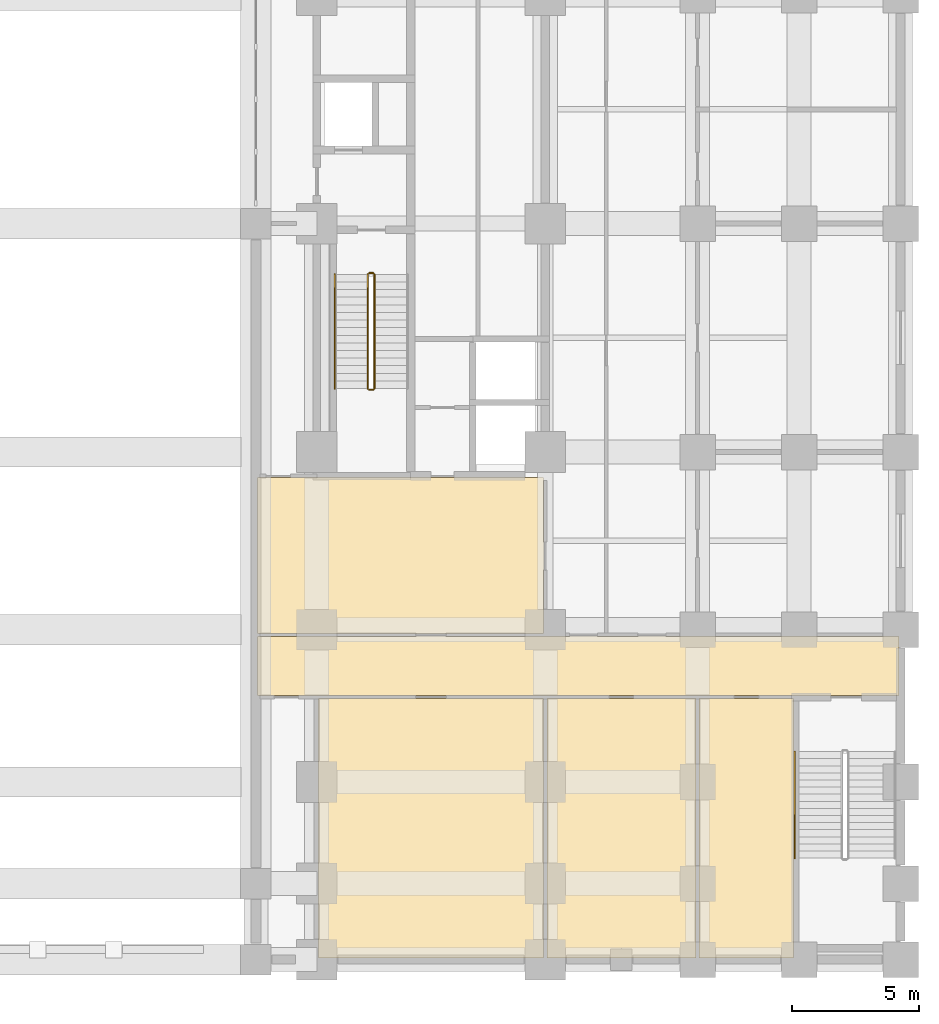
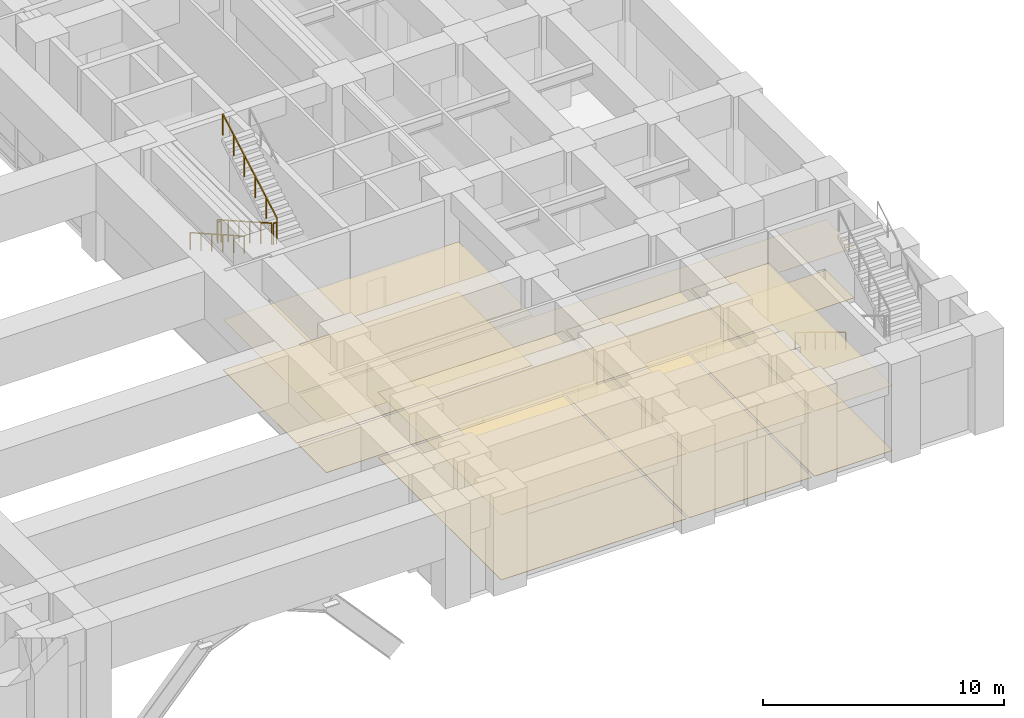
# One storey, part 21 of 24: 10 coverings, 6 railings.
"""IFC4 building model written with IfcOpenShell, lengths in metres."""

from ifc_helpers import new_model, si_unit, direction, frame, origin, origin_2d, place, context, subcontext, project, spatial, polyline, rectangle, outline, extrude, material, layer, layer_set, type_object, element, save


model = new_model("IFC4")

# Units and contexts
model_context = context("Model", 3, precision=1e-05, world=origin(), true_north=direction((0.0, 1.0)))
body_context = subcontext(model_context, "Body", "Model", "MODEL_VIEW")
ifc_project = project(units=[si_unit("LENGTHUNIT", "METRE"), si_unit("AREAUNIT", "SQUARE_METRE"), si_unit("VOLUMEUNIT", "CUBIC_METRE"), si_unit("PLANEANGLEUNIT", "RADIAN"), si_unit("MASSUNIT", "GRAM", prefix="KILO")], contexts=[model_context])

# Site, building, storey
site_placement = place(None, origin())
site = spatial("IfcSite", under=ifc_project, at=site_placement, CompositionType="ELEMENT")
building_placement = place(site_placement, origin())
building = spatial("IfcBuilding", under=site, at=building_placement, Name="Zulmaris Gate Convention Tower", CompositionType="ELEMENT")
storey_placement = place(building_placement, frame((0.0, 0.0, 16.320068359375)))
storey = spatial("IfcBuildingStorey", under=building, at=storey_placement, Name="L03", CompositionType="ELEMENT", Elevation=16.320068359375)

# Coverings
ifc_material_1 = material(Name="Mineral Fibre Acoustic Ceiling Tile")
ifc_layer_1 = layer(ifc_material_1, 0.02001953125, Name="Mineral Fibre Acoustic Ceiling Tile")
ifc_layer_set_1 = layer_set([ifc_layer_1], Name="Mineral Fibre Acoustic Ceiling Tile")
covering_type_1 = type_object("IfcCoveringType", Name="CLG-ACOUSTIC-600", PredefinedType="CEILING", material=ifc_layer_set_1)
covering_1_placement = place(storey_placement, frame((0.0, 0.0, 2.550048828125)))
element("IfcCovering", 1, at=covering_1_placement, inside=storey, type_object=covering_type_1, Name="CLG-L03-R50", PredefinedType="CEILING", context=body_context, shape_type="SweptSolid", body=[
    extrude(outline(polyline([(8.659912109375, -18.590087890625), (33.93994140625, -18.590087890625), (33.93994140625, -16.260009765625), (8.659912109375, -16.260009765625), (8.659912109375, -18.590087890625)])), origin(), (0.0, 0.0, 1.0), 0.019775390625),
])
covering_2_placement = place(storey_placement, frame((0.0, 0.0, 2.550048828125)))
element("IfcCovering", 2, at=covering_2_placement, inside=storey, type_object=covering_type_1, Name="CLG-L03-R52", PredefinedType="CEILING", context=body_context, shape_type="SweptSolid", body=[
    extrude(outline(polyline([(8.659912109375, -16.139892578125), (19.93994140625, -16.139892578125), (19.93994140625, -10.010009765625), (8.659912109375, -10.010009765625), (8.659912109375, -16.139892578125)])), origin(), (0.0, 0.0, 1.0), 0.019775390625),
])
covering_3_placement = place(storey_placement, frame((0.0, 0.0, 3.300048828125)))
element("IfcCovering", 3, at=covering_3_placement, inside=storey, type_object=covering_type_1, Name="CLG-L03-R87", PredefinedType="CEILING", context=body_context, shape_type="SweptSolid", body=[
    extrude(outline(polyline([(11.06005859375, -28.93994140625), (19.93994140625, -28.93994140625), (19.93994140625, -18.7099609375), (11.06005859375, -18.7099609375), (11.06005859375, -28.93994140625)])), origin(), (0.0, 0.0, 1.0), 0.019775390625),
])
covering_4_placement = place(storey_placement, frame((0.0, 0.0, 3.300048828125)))
element("IfcCovering", 4, at=covering_4_placement, inside=storey, type_object=covering_type_1, Name="CLG-L03-R88", PredefinedType="CEILING", context=body_context, shape_type="SweptSolid", body=[
    extrude(outline(polyline([(20.06005859375, -28.93994140625), (25.93994140625, -28.93994140625), (25.93994140625, -18.7099609375), (20.06005859375, -18.7099609375), (20.06005859375, -28.93994140625)])), origin(), (0.0, 0.0, 1.0), 0.019775390625),
])
covering_5_placement = place(storey_placement, frame((0.0, 0.0, 3.300048828125)))
element("IfcCovering", 5, at=covering_5_placement, inside=storey, type_object=covering_type_1, Name="CLG-L03-R89", PredefinedType="CEILING", context=body_context, shape_type="SweptSolid", body=[
    extrude(outline(polyline([(26.06005859375, -28.93994140625), (29.7900390625, -28.93994140625), (29.7900390625, -18.7099609375), (26.06005859375, -18.7099609375), (26.06005859375, -28.93994140625)])), origin(), (0.0, 0.0, 1.0), 0.019775390625),
])
ifc_material_2 = material(Name="Woven Acoustic Wool Carpet Tile")
ifc_layer_2 = layer(ifc_material_2, 0.02001953125, Name="Woven Acoustic Wool Carpet Tile")
ifc_layer_set_2 = layer_set([ifc_layer_2], Name="Woven Acoustic Wool Carpet Tile")
covering_type_2 = type_object("IfcCoveringType", Name="FLR-CARPET-12", PredefinedType="FLOORING", material=ifc_layer_set_2)
covering_6_placement = place(storey_placement, origin())
element("IfcCovering", 6, at=covering_6_placement, inside=storey, type_object=covering_type_2, Name="FLR-L03-R50", PredefinedType="FLOORING", context=body_context, shape_type="SweptSolid", body=[
    extrude(outline(polyline([(8.659912109375, -18.590087890625), (33.93994140625, -18.590087890625), (33.93994140625, -16.260009765625), (8.659912109375, -16.260009765625), (8.659912109375, -18.590087890625)])), origin(), (0.0, 0.0, 1.0), 0.02001953125),
])
covering_7_placement = place(storey_placement, origin())
element("IfcCovering", 7, at=covering_7_placement, inside=storey, type_object=covering_type_2, Name="FLR-L03-R52", PredefinedType="FLOORING", context=body_context, shape_type="SweptSolid", body=[
    extrude(outline(polyline([(8.659912109375, -16.139892578125), (19.93994140625, -16.139892578125), (19.93994140625, -10.010009765625), (8.659912109375, -10.010009765625), (8.659912109375, -16.139892578125)])), origin(), (0.0, 0.0, 1.0), 0.02001953125),
])
covering_8_placement = place(storey_placement, origin())
element("IfcCovering", 8, at=covering_8_placement, inside=storey, type_object=covering_type_2, Name="FLR-L03-R89", PredefinedType="FLOORING", context=body_context, shape_type="SweptSolid", body=[
    extrude(outline(polyline([(26.06005859375, -28.93994140625), (29.7900390625, -28.93994140625), (29.7900390625, -18.7099609375), (26.06005859375, -18.7099609375), (26.06005859375, -28.93994140625)])), origin(), (0.0, 0.0, 1.0), 0.02001953125),
])
ifc_material_3 = material(Name="Polished Granite Terrazzo Tile", Category="masonry")
ifc_layer_3 = layer(ifc_material_3, 0.02001953125, Name="Polished Granite Terrazzo Tile")
ifc_layer_set_3 = layer_set([ifc_layer_3], Name="Polished Granite Terrazzo Tile")
covering_type_3 = type_object("IfcCoveringType", Name="FLR-TERRAZZO-30", PredefinedType="FLOORING", material=ifc_layer_set_3)
covering_9_placement = place(storey_placement, origin())
element("IfcCovering", 9, at=covering_9_placement, inside=storey, type_object=covering_type_3, Name="FLR-L03-R87", PredefinedType="FLOORING", context=body_context, shape_type="SweptSolid", body=[
    extrude(outline(polyline([(11.06005859375, -28.93994140625), (19.93994140625, -28.93994140625), (19.93994140625, -18.7099609375), (11.06005859375, -18.7099609375), (11.06005859375, -28.93994140625)])), origin(), (0.0, 0.0, 1.0), 0.02001953125),
])
ifc_material_4 = material(Name="Engineered Teak Parquet Flooring")
ifc_layer_4 = layer(ifc_material_4, 0.02001953125, Name="Engineered Teak Parquet Flooring")
ifc_layer_set_4 = layer_set([ifc_layer_4], Name="Engineered Teak Parquet Flooring")
covering_type_4 = type_object("IfcCoveringType", Name="FLR-TIMBER-18", PredefinedType="FLOORING", material=ifc_layer_set_4)
covering_10_placement = place(storey_placement, origin())
element("IfcCovering", 10, at=covering_10_placement, inside=storey, type_object=covering_type_4, Name="FLR-L03-R88", PredefinedType="FLOORING", context=body_context, shape_type="SweptSolid", body=[
    extrude(outline(polyline([(20.06005859375, -28.93994140625), (25.93994140625, -28.93994140625), (25.93994140625, -18.7099609375), (20.06005859375, -18.7099609375), (20.06005859375, -28.93994140625)])), origin(), (0.0, 0.0, 1.0), 0.02001953125),
])

# Railings
ifc_material_5 = material(Name="Painted Galvanised Steel", Category="steel")
railing_type_1 = type_object("IfcRailingType", Name="RL-STG-1150", PredefinedType="GUARDRAIL", material=ifc_material_5)
railing_1_placement = place(storey_placement, frame((13.010009765625, -2.0, 0.169921875)))
element("IfcRailing", 11, at=railing_1_placement, inside=storey, type_object=railing_type_1, Name="L03 ST-2 stair guard 1", PredefinedType="GUARDRAIL", context=body_context, shape_type="SweptSolid", body=[
    extrude(rectangle(XDim=0.048095703125, YDim=0.048095703125, at=origin_2d()), frame((0.0, 0.0, 1.076171875), z_axis=(0.0, -0.870018136573, 0.493019717692), x_axis=(1.0, 0.0, 0.0)), (0.0, 0.0, 1.0), 5.17236328125),
    extrude(rectangle(XDim=0.0419921875, YDim=0.0419921875, at=origin_2d()), origin(), (0.0, 0.0, 1.0), 1.052001953125),
    extrude(rectangle(XDim=0.0419921875, YDim=0.0419921875, at=origin_2d()), frame((0.0, -0.89990234375, 0.510009765625)), (0.0, 0.0, 1.0), 1.052001953125),
    extrude(rectangle(XDim=0.0419921875, YDim=0.0419921875, at=origin_2d()), frame((0.0, -1.800048828125, 1.02001953125)), (0.0, 0.0, 1.0), 1.052001953125),
    extrude(rectangle(XDim=0.0419921875, YDim=0.0419921875, at=origin_2d()), frame((0.0, -2.699951171875, 1.530029296875)), (0.0, 0.0, 1.0), 1.052001953125),
    extrude(rectangle(XDim=0.0419921875, YDim=0.0419921875, at=origin_2d()), frame((0.0, -3.60009765625, 2.0400390625)), (0.0, 0.0, 1.0), 1.052001953125),
    extrude(rectangle(XDim=0.0419921875, YDim=0.0419921875, at=origin_2d()), frame((0.0, -4.5, 2.550048828125)), (0.0, 0.0, 1.0), 1.052001953125),
])
railing_2_placement = place(storey_placement, frame((13.06005859375, -6.550048828125, 2.719970703125)))
element("IfcRailing", 12, at=railing_2_placement, inside=storey, type_object=railing_type_1, Name="L03 ST-2 stair guard 2", PredefinedType="GUARDRAIL", context=body_context, shape_type="SweptSolid", body=[
    extrude(rectangle(XDim=0.048095703125, YDim=0.048095703125, at=origin_2d()), frame((0.0, 0.0, 1.076171875), z_axis=(1.0, 0.0, 0.0), x_axis=(0.0, 1.0, 0.0)), (0.0, 0.0, 1.0), 0.159912109375),
    extrude(rectangle(XDim=0.0419921875, YDim=0.0419921875, at=origin_2d()), origin(), (0.0, 0.0, 1.0), 1.052001953125),
    extrude(rectangle(XDim=0.0419921875, YDim=0.0419921875, at=origin_2d()), frame((0.159912109375, 0.0, 0.0)), (0.0, 0.0, 1.0), 1.052001953125),
])
railing_3_placement = place(storey_placement, frame((13.27001953125, -6.5, 2.889892578125)))
element("IfcRailing", 13, at=railing_3_placement, inside=storey, type_object=railing_type_1, Name="L03 ST-2 stair guard 3", PredefinedType="GUARDRAIL", context=body_context, shape_type="SweptSolid", body=[
    extrude(rectangle(XDim=0.048095703125, YDim=0.048095703125, at=origin_2d()), frame((0.0, 0.0, 1.076171875), z_axis=(0.0, 0.870018136573, 0.493019717692), x_axis=(-1.0, 0.0, 0.0)), (0.0, 0.0, 1.0), 5.17236328125),
    extrude(rectangle(XDim=0.0419921875, YDim=0.0419921875, at=origin_2d()), origin(), (0.0, 0.0, 1.0), 1.052001953125),
    extrude(rectangle(XDim=0.0419921875, YDim=0.0419921875, at=origin_2d()), frame((0.0, 0.89990234375, 0.510009765625)), (0.0, 0.0, 1.0), 1.052001953125),
    extrude(rectangle(XDim=0.0419921875, YDim=0.0419921875, at=origin_2d()), frame((0.0, 1.800048828125, 1.02001953125)), (0.0, 0.0, 1.0), 1.052001953125),
    extrude(rectangle(XDim=0.0419921875, YDim=0.0419921875, at=origin_2d()), frame((0.0, 2.699951171875, 1.530029296875)), (0.0, 0.0, 1.0), 1.052001953125),
    extrude(rectangle(XDim=0.0419921875, YDim=0.0419921875, at=origin_2d()), frame((0.0, 3.60009765625, 2.0400390625)), (0.0, 0.0, 1.0), 1.052001953125),
    extrude(rectangle(XDim=0.0419921875, YDim=0.0419921875, at=origin_2d()), frame((0.0, 4.5, 2.550048828125)), (0.0, 0.0, 1.0), 1.052001953125),
])
railing_4_placement = place(storey_placement, frame((13.06005859375, -1.949951171875, 0.0)))
element("IfcRailing", 14, at=railing_4_placement, inside=storey, type_object=railing_type_1, Name="L03 ST-2 stair guard 4", PredefinedType="GUARDRAIL", context=body_context, shape_type="SweptSolid", body=[
    extrude(rectangle(XDim=0.048095703125, YDim=0.048095703125, at=origin_2d()), frame((0.0, 0.0, 1.076171875), z_axis=(1.0, 0.0, 0.0), x_axis=(0.0, 1.0, 0.0)), (0.0, 0.0, 1.0), 0.159912109375),
    extrude(rectangle(XDim=0.0419921875, YDim=0.0419921875, at=origin_2d()), origin(), (0.0, 0.0, 1.0), 1.052001953125),
    extrude(rectangle(XDim=0.0419921875, YDim=0.0419921875, at=origin_2d()), frame((0.159912109375, 0.0, 0.0)), (0.0, 0.0, 1.0), 1.052001953125),
])
ifc_material_6 = material(Name="Brushed Stainless Steel", Category="steel")
railing_type_2 = type_object("IfcRailingType", Name="RL-STH-900", PredefinedType="HANDRAIL", material=ifc_material_6)
railing_5_placement = place(storey_placement, frame((11.7099609375, -2.0, 0.169921875)))
element("IfcRailing", 15, at=railing_5_placement, inside=storey, type_object=railing_type_2, Name="L03 ST-2 stair handrail 1", PredefinedType="HANDRAIL", context=body_context, shape_type="SweptSolid", body=[
    extrude(rectangle(XDim=0.048095703125, YDim=0.048095703125, at=origin_2d()), frame((0.0, 0.0, 0.8759765625), z_axis=(0.0, -0.870018136573, 0.493019717692), x_axis=(1.0, 0.0, 0.0)), (0.0, 0.0, 1.0), 5.17236328125),
    extrude(rectangle(XDim=0.0419921875, YDim=0.0419921875, at=origin_2d()), origin(), (0.0, 0.0, 1.0), 0.851806640625),
    extrude(rectangle(XDim=0.0419921875, YDim=0.0419921875, at=origin_2d()), frame((0.0, -0.89990234375, 0.510009765625)), (0.0, 0.0, 1.0), 0.851806640625),
    extrude(rectangle(XDim=0.0419921875, YDim=0.0419921875, at=origin_2d()), frame((0.0, -1.800048828125, 1.02001953125)), (0.0, 0.0, 1.0), 0.851806640625),
    extrude(rectangle(XDim=0.0419921875, YDim=0.0419921875, at=origin_2d()), frame((0.0, -2.699951171875, 1.530029296875)), (0.0, 0.0, 1.0), 0.851806640625),
    extrude(rectangle(XDim=0.0419921875, YDim=0.0419921875, at=origin_2d()), frame((0.0, -3.60009765625, 2.0400390625)), (0.0, 0.0, 1.0), 0.851806640625),
    extrude(rectangle(XDim=0.0419921875, YDim=0.0419921875, at=origin_2d()), frame((0.0, -4.5, 2.550048828125)), (0.0, 0.0, 1.0), 0.851806640625),
])
railing_6_placement = place(storey_placement, frame((29.830078125, -20.800048828125, 0.169921875)))
element("IfcRailing", 16, at=railing_6_placement, inside=storey, type_object=railing_type_2, Name="L03 ST-6 stair handrail 1", PredefinedType="HANDRAIL", context=body_context, shape_type="SweptSolid", body=[
    extrude(rectangle(XDim=0.048095703125, YDim=0.048095703125, at=origin_2d()), frame((0.0, 0.0, 0.8759765625), z_axis=(0.0, -0.854780430106, 0.518989803665), x_axis=(1.0, 0.0, 0.0)), (0.0, 0.0, 1.0), 4.91357421875),
    extrude(rectangle(XDim=0.0419921875, YDim=0.0419921875, at=origin_2d()), origin(), (0.0, 0.0, 1.0), 0.851806640625),
    extrude(rectangle(XDim=0.0419921875, YDim=0.0419921875, at=origin_2d()), frame((0.0, -0.840087890625, 0.510009765625)), (0.0, 0.0, 1.0), 0.851806640625),
    extrude(rectangle(XDim=0.0419921875, YDim=0.0419921875, at=origin_2d()), frame((0.0, -1.679931640625, 1.02001953125)), (0.0, 0.0, 1.0), 0.851806640625),
    extrude(rectangle(XDim=0.0419921875, YDim=0.0419921875, at=origin_2d()), frame((0.0, -2.52001953125, 1.530029296875)), (0.0, 0.0, 1.0), 0.851806640625),
    extrude(rectangle(XDim=0.0419921875, YDim=0.0419921875, at=origin_2d()), frame((0.0, -3.35986328125, 2.0400390625)), (0.0, 0.0, 1.0), 0.851806640625),
    extrude(rectangle(XDim=0.0419921875, YDim=0.0419921875, at=origin_2d()), frame((0.0, -4.199951171875, 2.550048828125)), (0.0, 0.0, 1.0), 0.851806640625),
])

save(model, "model.ifc")
